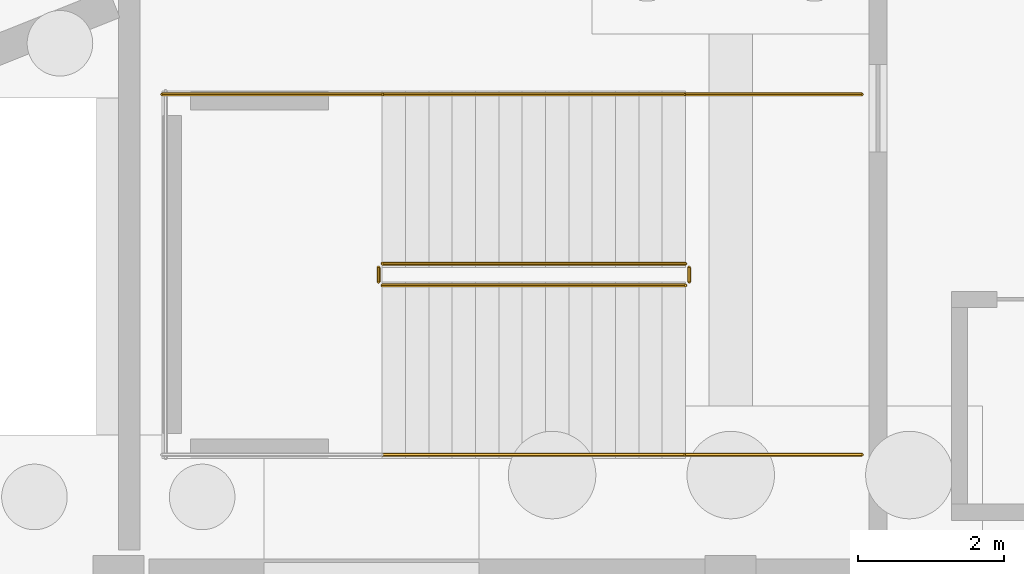
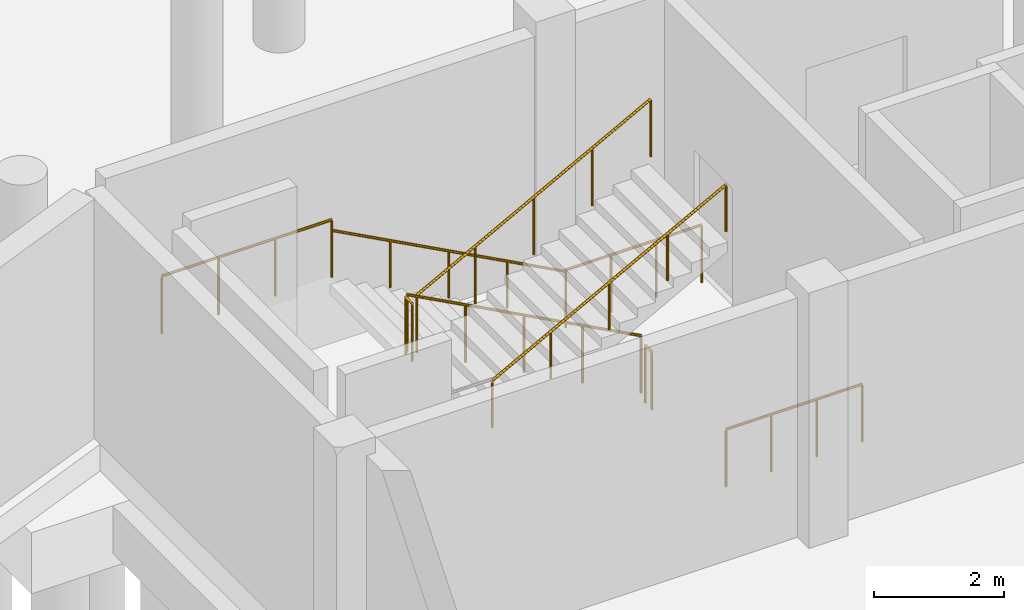
# One storey, part 21 of 24: 9 railings.
"""IFC4 building model written with IfcOpenShell, lengths in metres."""

from ifc_helpers import new_model, si_unit, derived_unit, direction, frame, origin, origin_2d, place, context, subcontext, project, spatial, circle, extrude, material, type_object, element, save


model = new_model("IFC4")

# Units and contexts
model_context = context("Model", 3, precision=1e-05, world=origin(), true_north=direction((0.0, 1.0)))
body_context = subcontext(model_context, "Body", "Model", "MODEL_VIEW")
ifc_project = project(units=[si_unit("LENGTHUNIT", "METRE"), si_unit("AREAUNIT", "SQUARE_METRE"), si_unit("VOLUMEUNIT", "CUBIC_METRE"), si_unit("PLANEANGLEUNIT", "RADIAN"), si_unit("MASSUNIT", "GRAM", prefix="KILO"), derived_unit("THERMALTRANSMITTANCEUNIT", [(si_unit("POWERUNIT", "WATT"), 1), (si_unit("LENGTHUNIT", "METRE"), -2), (si_unit("THERMODYNAMICTEMPERATUREUNIT", "KELVIN"), -1)])], contexts=[model_context])

# Site, building, storey
site_placement = place(None, origin())
site = spatial("IfcSite", under=ifc_project, at=site_placement, CompositionType="ELEMENT")
building_placement = place(site_placement, origin())
building = spatial("IfcBuilding", under=site, at=building_placement, Name="Elbkamm Science Centre", CompositionType="ELEMENT")
storey_placement = place(building_placement, frame((0.0, 0.0, -4.800048828125)))
storey = spatial("IfcBuildingStorey", under=building, at=storey_placement, Name="B01", CompositionType="ELEMENT", Elevation=-4.800048828125)

# Railings
ifc_material = material(Name="Stainless steel EN 1.4401", Category="steel")
railing_type_1 = type_object("IfcRailingType", Name="RAIL-GUARD-1100", PredefinedType="GUARDRAIL", material=ifc_material)
railing_1_placement = place(storey_placement, frame((83.3798828125, 46.35009765625, 0.17138671875)))
element("IfcRailing", 1, at=railing_1_placement, inside=storey, type_object=railing_type_1, Name="B01 ST-C2 stair guard 1", PredefinedType="GUARDRAIL", context=body_context, shape_type="SweptSolid", body=[
    extrude(circle(Radius=0.02392578125, at=origin_2d()), frame((0.0, 0.0, 1.078125), z_axis=(-0.881459204653, 0.0, 0.472260172503), x_axis=(0.0, -1.0, 0.0)), (0.0, 0.0, 1.0), 4.71923828125),
    extrude(circle(Radius=0.02001953125, at=origin_2d()), origin(), (0.0, 0.0, 1.0), 1.048095703125),
    extrude(circle(Radius=0.02001953125, at=origin_2d()), frame((-1.0400390625, 0.0, 0.55712890625)), (0.0, 0.0, 1.0), 1.048095703125),
    extrude(circle(Radius=0.02001953125, at=origin_2d()), frame((-2.080078125, 0.0, 1.1142578125)), (0.0, 0.0, 1.0), 1.048095703125),
    extrude(circle(Radius=0.02001953125, at=origin_2d()), frame((-3.119873046875, 0.0, 1.671630859375)), (0.0, 0.0, 1.0), 1.048095703125),
    extrude(circle(Radius=0.02001953125, at=origin_2d()), frame((-4.159912109375, 0.0, 2.228759765625)), (0.0, 0.0, 1.0), 1.048095703125),
])
railing_2_placement = place(storey_placement, frame((79.169921875, 46.300048828125, 2.400146484375)))
element("IfcRailing", 2, at=railing_2_placement, inside=storey, type_object=railing_type_1, Name="B01 ST-C2 stair guard 2", PredefinedType="GUARDRAIL", context=body_context, shape_type="SweptSolid", body=[
    extrude(circle(Radius=0.02392578125, at=origin_2d()), frame((0.0, 0.0, 1.078125), z_axis=(0.0, -1.0, 0.0), x_axis=(1.0, 0.0, 0.0)), (0.0, 0.0, 1.0), 0.199951171875),
    extrude(circle(Radius=0.02001953125, at=origin_2d()), origin(), (0.0, 0.0, 1.0), 1.048095703125),
    extrude(circle(Radius=0.02001953125, at=origin_2d()), frame((0.0, -0.199951171875, 0.0)), (0.0, 0.0, 1.0), 1.048095703125),
])
railing_3_placement = place(storey_placement, frame((79.219970703125, 48.669921875, 2.400146484375)))
element("IfcRailing", 3, at=railing_3_placement, inside=storey, type_object=railing_type_1, Name="B01 ST-C2 stair guard 3", PredefinedType="GUARDRAIL", context=body_context, shape_type="SweptSolid", body=[
    extrude(circle(Radius=0.02392578125, at=origin_2d()), frame((0.0, 0.0, 1.078125), z_axis=(-1.0, 0.0, 0.0), x_axis=(0.0, -1.0, 0.0)), (0.0, 0.0, 1.0), 3.02001953125),
    extrude(circle(Radius=0.02001953125, at=origin_2d()), origin(), (0.0, 0.0, 1.0), 1.048095703125),
    extrude(circle(Radius=0.02001953125, at=origin_2d()), frame((-1.006591796875, 0.0, 0.0)), (0.0, 0.0, 1.0), 1.048095703125),
    extrude(circle(Radius=0.02001953125, at=origin_2d()), frame((-2.013427734375, 0.0, 0.0)), (0.0, 0.0, 1.0), 1.048095703125),
    extrude(circle(Radius=0.02001953125, at=origin_2d()), frame((-3.02001953125, 0.0, 0.0)), (0.0, 0.0, 1.0), 1.048095703125),
])
railing_4_placement = place(storey_placement, frame((79.219970703125, 46.050048828125, 2.571533203125)))
element("IfcRailing", 4, at=railing_4_placement, inside=storey, type_object=railing_type_1, Name="B01 ST-C2 stair guard 6", PredefinedType="GUARDRAIL", context=body_context, shape_type="SweptSolid", body=[
    extrude(circle(Radius=0.02392578125, at=origin_2d()), frame((0.0, 0.0, 1.078125), z_axis=(0.881480739103, 0.0, 0.472219976908), x_axis=(0.0, 1.0, 0.0)), (0.0, 0.0, 1.0), 4.71923828125),
    extrude(circle(Radius=0.02001953125, at=origin_2d()), origin(), (0.0, 0.0, 1.0), 1.048095703125),
    extrude(circle(Radius=0.02001953125, at=origin_2d()), frame((1.0400390625, 0.0, 0.55712890625)), (0.0, 0.0, 1.0), 1.048095703125),
    extrude(circle(Radius=0.02001953125, at=origin_2d()), frame((2.080078125, 0.0, 1.1142578125)), (0.0, 0.0, 1.0), 1.048095703125),
    extrude(circle(Radius=0.02001953125, at=origin_2d()), frame((3.119873046875, 0.0, 1.67138671875)), (0.0, 0.0, 1.0), 1.048095703125),
    extrude(circle(Radius=0.02001953125, at=origin_2d()), frame((4.159912109375, 0.0, 2.228515625)), (0.0, 0.0, 1.0), 1.048095703125),
])
railing_5_placement = place(storey_placement, frame((83.429931640625, 46.300048828125, 0.0)))
element("IfcRailing", 5, at=railing_5_placement, inside=storey, type_object=railing_type_1, Name="B01 ST-C2 stair guard 7", PredefinedType="GUARDRAIL", context=body_context, shape_type="SweptSolid", body=[
    extrude(circle(Radius=0.02392578125, at=origin_2d()), frame((0.0, 0.0, 1.078125), z_axis=(0.0, -1.0, 0.0), x_axis=(1.0, 0.0, 0.0)), (0.0, 0.0, 1.0), 0.199951171875),
    extrude(circle(Radius=0.02001953125, at=origin_2d()), origin(), (0.0, 0.0, 1.0), 1.048095703125),
    extrude(circle(Radius=0.02001953125, at=origin_2d()), frame((0.0, -0.199951171875, 0.0)), (0.0, 0.0, 1.0), 1.048095703125),
])
for number, where, name in (
    (6, (85.800048828125, 48.669921875, 0.0), "B01 ST-C2 stair guard 8"),
    (7, (85.800048828125, 43.72998046875, 0.0), "B01 ST-C2 stair guard 9"),
):
    element("IfcRailing", number, at=place(storey_placement, frame(where)), inside=storey, type_object=railing_type_1, Name=name, PredefinedType="GUARDRAIL", context=body_context, shape_type="SweptSolid", body=[
        extrude(circle(Radius=0.02392578125, at=origin_2d()), frame((0.0, 0.0, 1.078125), z_axis=(-1.0, 0.0, 0.0), x_axis=(0.0, -1.0, 0.0)), (0.0, 0.0, 1.0), 2.420166015625),
        extrude(circle(Radius=0.02001953125, at=origin_2d()), origin(), (0.0, 0.0, 1.0), 1.048095703125),
        extrude(circle(Radius=0.02001953125, at=origin_2d()), frame((-0.806640625, 0.0, 0.0)), (0.0, 0.0, 1.0), 1.048095703125),
        extrude(circle(Radius=0.02001953125, at=origin_2d()), frame((-1.613525390625, 0.0, 0.0)), (0.0, 0.0, 1.0), 1.048095703125),
        extrude(circle(Radius=0.02001953125, at=origin_2d()), frame((-2.420166015625, 0.0, 0.0)), (0.0, 0.0, 1.0), 1.048095703125),
    ])
railing_type_2 = type_object("IfcRailingType", Name="RAIL-HAND-900", PredefinedType="HANDRAIL", material=ifc_material)
railing_6_placement = place(storey_placement, frame((83.3798828125, 48.669921875, 0.17138671875)))
element("IfcRailing", 8, at=railing_6_placement, inside=storey, type_object=railing_type_2, Name="B01 ST-C2 stair handrail 1", PredefinedType="HANDRAIL", context=body_context, shape_type="SweptSolid", body=[
    extrude(circle(Radius=0.02392578125, at=origin_2d()), frame((0.0, 0.0, 0.8779296875), z_axis=(-0.881459204653, 0.0, 0.472260172503), x_axis=(0.0, -1.0, 0.0)), (0.0, 0.0, 1.0), 4.71923828125),
    extrude(circle(Radius=0.02001953125, at=origin_2d()), origin(), (0.0, 0.0, 1.0), 0.847900390625),
    extrude(circle(Radius=0.02001953125, at=origin_2d()), frame((-1.0400390625, 0.0, 0.55712890625)), (0.0, 0.0, 1.0), 0.847900390625),
    extrude(circle(Radius=0.02001953125, at=origin_2d()), frame((-2.080078125, 0.0, 1.1142578125)), (0.0, 0.0, 1.0), 0.847900390625),
    extrude(circle(Radius=0.02001953125, at=origin_2d()), frame((-3.119873046875, 0.0, 1.671630859375)), (0.0, 0.0, 1.0), 0.847900390625),
    extrude(circle(Radius=0.02001953125, at=origin_2d()), frame((-4.159912109375, 0.0, 2.228759765625)), (0.0, 0.0, 1.0), 0.847900390625),
])
railing_7_placement = place(storey_placement, frame((79.219970703125, 43.72998046875, 2.571533203125)))
element("IfcRailing", 9, at=railing_7_placement, inside=storey, type_object=railing_type_2, Name="B01 ST-C2 stair handrail 2", PredefinedType="HANDRAIL", context=body_context, shape_type="SweptSolid", body=[
    extrude(circle(Radius=0.02392578125, at=origin_2d()), frame((0.0, 0.0, 0.8779296875), z_axis=(0.881480739103, 0.0, 0.472219976908), x_axis=(0.0, 1.0, 0.0)), (0.0, 0.0, 1.0), 4.71923828125),
    extrude(circle(Radius=0.02001953125, at=origin_2d()), origin(), (0.0, 0.0, 1.0), 0.847900390625),
    extrude(circle(Radius=0.02001953125, at=origin_2d()), frame((1.0400390625, 0.0, 0.55712890625)), (0.0, 0.0, 1.0), 0.847900390625),
    extrude(circle(Radius=0.02001953125, at=origin_2d()), frame((2.080078125, 0.0, 1.1142578125)), (0.0, 0.0, 1.0), 0.847900390625),
    extrude(circle(Radius=0.02001953125, at=origin_2d()), frame((3.119873046875, 0.0, 1.67138671875)), (0.0, 0.0, 1.0), 0.847900390625),
    extrude(circle(Radius=0.02001953125, at=origin_2d()), frame((4.159912109375, 0.0, 2.228515625)), (0.0, 0.0, 1.0), 0.847900390625),
])

save(model, "model.ifc")
